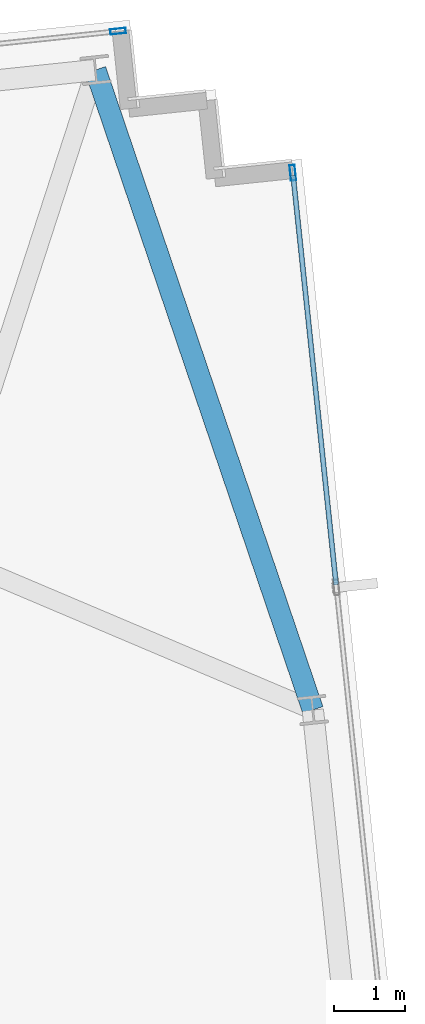
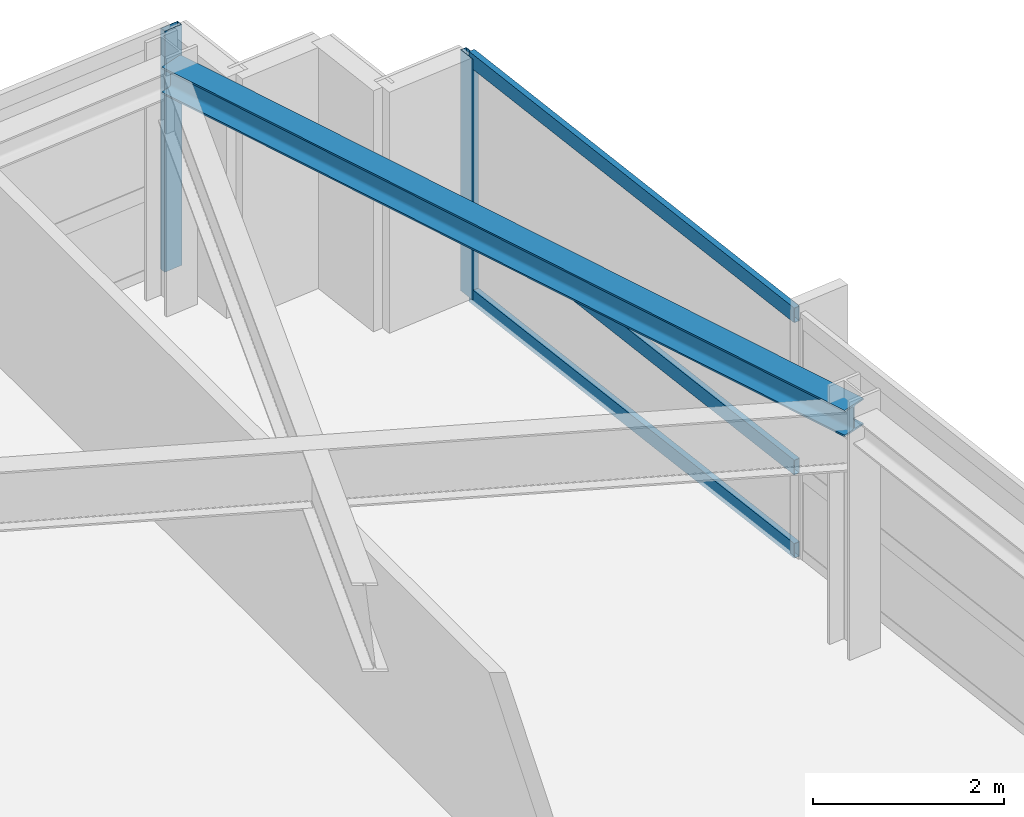
# One storey, part 18 of 26: 5 members, 1 beam, 2 elements without a shape of their own.
"""IFC4 building model written with IfcOpenShell, lengths in metres."""

import ifcopenshell
import ifcopenshell.guid

model = None  # the IFC model being written
_history = None  # IfcOwnerHistory: only IFC2X3 demands one
_inside = {}  # id of a spatial element -> (the spatial element, [elements in it])
_under = {}  # id of a project, library or spatial element -> (it, [spatial elements below it])
_declared = {}  # id of a project -> (the project, [libraries it declares])
_typed = {}  # id of a type object -> (the type object, [elements of that type])
_made_of = {}  # id of a material, layer set ... -> (it, [elements and type objects made of it])


def new_model(schema):
    """Start an empty IFC model of exactly this schema.

    Asked for "IFC4X3", IfcOpenShell would pick the latest addendum, in which some entities
    have other attributes; the version numbers below select the first issue.
    IFC2X3 requires an IfcOwnerHistory on every rooted entity: one is made here for all.
    """
    global model, _history
    if schema == "IFC4X3":
        model = ifcopenshell.file(schema_version=(4, 3, 0, 0))
    else:
        model = ifcopenshell.file(schema=schema)
    _inside.clear()
    _under.clear()
    _declared.clear()
    _typed.clear()
    _made_of.clear()
    _history = None
    if model.schema == "IFC2X3":
        org = make("IfcOrganization", Name="unknown")
        user = make(
            "IfcPersonAndOrganization",
            ThePerson=make("IfcPerson", FamilyName="unknown"),
            TheOrganization=org,
        )
        app = make(
            "IfcApplication",
            ApplicationDeveloper=org,
            Version="unknown",
            ApplicationFullName="unknown",
            ApplicationIdentifier="unknown",
        )
        _history = make(
            "IfcOwnerHistory",
            OwningUser=user,
            OwningApplication=app,
            ChangeAction="ADDED",
            CreationDate=0,
        )
    return model


def make(cls, **values):
    """One entity of the class cls with the attributes given. An attribute that is None is left unset."""
    return model.create_entity(
        cls, **{name: value for name, value in values.items() if value is not None}
    )


def rooted(cls, **values):
    """An entity with a GlobalId (a new one), such as an element, a storey or a relation."""
    return make(cls, GlobalId=ifcopenshell.guid.new(), OwnerHistory=_history, **values)


def si_unit(unit_type, name, prefix=None):
    """IfcSIUnit, for example si_unit("LENGTHUNIT", "METRE", prefix="MILLI")."""
    return make("IfcSIUnit", UnitType=unit_type, Prefix=prefix, Name=name)


def assignment(units):
    """IfcUnitAssignment: the units of a project."""
    return None if units is None else make("IfcUnitAssignment", Units=units)


def point(xyz):
    """IfcCartesianPoint."""
    return None if xyz is None else make("IfcCartesianPoint", Coordinates=xyz)


def direction(xyz):
    """IfcDirection."""
    return None if xyz is None else make("IfcDirection", DirectionRatios=xyz)


def frame(location, z_axis=None, x_axis=None):
    """IfcAxis2Placement3D, a coordinate frame: its origin and axes. An axis left out is left unset."""
    return make(
        "IfcAxis2Placement3D",
        Location=point(location),
        Axis=direction(z_axis),
        RefDirection=direction(x_axis),
    )


def frame_2d(location, x_axis=None):
    """IfcAxis2Placement2D, a coordinate frame in the plane: its origin and x axis."""
    return make(
        "IfcAxis2Placement2D", Location=point(location), RefDirection=direction(x_axis)
    )


def origin():
    """The frame at (0, 0, 0) with its axes left unset."""
    return frame((0.0, 0.0, 0.0))


def origin_2d():
    """The frame at (0, 0) in the plane with its x axis left unset."""
    return frame_2d((0.0, 0.0))


def place(relative_to, where):
    """IfcLocalPlacement: puts the frame where relative to a parent placement (None: the world)."""
    return make(
        "IfcLocalPlacement", PlacementRelTo=relative_to, RelativePlacement=where
    )


def context(
    kind, dimensions, precision=None, world=None, true_north=None, identifier=None
):
    """IfcGeometricRepresentationContext, for example the 3D "Model" context."""
    return make(
        "IfcGeometricRepresentationContext",
        ContextIdentifier=identifier,
        ContextType=kind,
        CoordinateSpaceDimension=dimensions,
        Precision=precision,
        WorldCoordinateSystem=world,
        TrueNorth=true_north,
    )


def subcontext(parent, identifier, kind, view, scale=None):
    """IfcGeometricRepresentationSubContext, for example "Body" below "Model"."""
    return make(
        "IfcGeometricRepresentationSubContext",
        ContextIdentifier=identifier,
        ContextType=kind,
        ParentContext=parent,
        TargetScale=scale,
        TargetView=view,
    )


def project(units=None, contexts=None):
    """IfcProject with its units and contexts."""
    return rooted(
        "IfcProject",
        Name="project",
        RepresentationContexts=contexts,
        UnitsInContext=assignment(units),
    )


def spatial(cls, under=None, at=None, **own):
    """A site, building, storey or space (cls), placed at a placement, below another one or the project."""
    s = rooted(cls, ObjectPlacement=at, **own)
    if under is not None:
        _under.setdefault(under.id(), (under, []))[1].append(s)
    return s


def profile(cls, at=None, kind="AREA", **sizes):
    """A parametric profile (cls). Its sizes go by their IFC names, for example OverallWidth=200.0."""
    return make(cls, ProfileType=kind, Position=at, **sizes)


def hollow_rectangle(**sizes):
    """IfcRectangleHollowProfileDef."""
    return profile("IfcRectangleHollowProfileDef", **sizes)


def i_section(**sizes):
    """IfcIShapeProfileDef."""
    return profile("IfcIShapeProfileDef", **sizes)


def extrude(swept, where, along, depth):
    """IfcExtrudedAreaSolid: the profile swept, set in the frame where, extruded along a direction by depth."""
    return make(
        "IfcExtrudedAreaSolid",
        SweptArea=swept,
        Position=where,
        ExtrudedDirection=direction(along),
        Depth=depth,
    )


def shape(context_of_items, identifier, shape_type, items):
    """IfcShapeRepresentation: the items that make up one representation, for example the "Body"."""
    return make(
        "IfcShapeRepresentation",
        ContextOfItems=context_of_items,
        RepresentationIdentifier=identifier,
        RepresentationType=shape_type,
        Items=items,
    )


def material(Name=None, Category=None):
    """IfcMaterial."""
    return make("IfcMaterial", Name=Name, Category=Category)


def material_profile(
    of_material, cross_section, Name=None, Category=None, Priority=None
):
    """IfcMaterialProfile: a cross section and its material."""
    return make(
        "IfcMaterialProfile",
        Name=Name,
        Material=of_material,
        Profile=cross_section,
        Priority=Priority,
        Category=Category,
    )


def profile_set(profiles, Name=None, composite=None):
    """IfcMaterialProfileSet."""
    return make(
        "IfcMaterialProfileSet",
        Name=Name,
        MaterialProfiles=profiles,
        CompositeProfile=composite,
    )


def made_of(thing, what):
    """Note that an element or type object is made of a material, layer set ...; save() writes the relation."""
    if what is not None:
        _made_of.setdefault(what.id(), (what, []))[1].append(thing)
    return thing


def type_object(cls, material=None, **own):
    """A type object (cls), such as IfcWallType, which elements share."""
    return made_of(rooted(cls, **own), material)


def element(
    cls,
    number,
    at=None,
    inside=None,
    cuts=None,
    type_object=None,
    material=None,
    context=None,
    identifier="Body",
    shape_type=None,
    held_by="IfcProductDefinitionShape",
    body=None,
    shapes=None,
    **own,
):
    """One element of the class cls, such as IfcWall. Its Tag is "e" and its number.

    at: its placement. inside: the storey or other place that contains it. cuts: it is an
    opening in that element (IfcRelVoidsElement). A single representation is given by context,
    identifier, shape_type and body (its items); several are given by shapes. held_by: the class
    of the entity that holds the representations. save() writes the other relations.
    """
    e = rooted(cls, Tag="e%d" % number, ObjectPlacement=at, **own)
    if body is not None:
        shapes = [shape(context, identifier, shape_type, body)]
    if shapes is not None:
        e.Representation = make(held_by, Representations=shapes)
    if inside is not None:
        _inside.setdefault(inside.id(), (inside, []))[1].append(e)
    if cuts is not None:
        rooted(
            "IfcRelVoidsElement", RelatingBuildingElement=cuts, RelatedOpeningElement=e
        )
    if type_object is not None:
        _typed.setdefault(type_object.id(), (type_object, []))[1].append(e)
    return made_of(e, material)


def aggregate(whole, parts):
    """IfcRelAggregates: a whole, such as a stair, and the parts it consists of."""
    return rooted("IfcRelAggregates", RelatingObject=whole, RelatedObjects=parts)


def save(model, path):
    """Write the relations noted so far, then the file.

    IfcRelAggregates (storeys below a building ...), IfcRelContainedInSpatialStructure (elements
    in a storey), IfcRelDefinesByType, IfcRelAssociatesMaterial and IfcRelDeclares: one each for
    every whole, place, type object, material and project.
    """
    for whole, parts in _under.values():
        aggregate(whole, parts)
    for where, things in _inside.values():
        rooted(
            "IfcRelContainedInSpatialStructure",
            RelatedElements=things,
            RelatingStructure=where,
        )
    for kind, things in _typed.values():
        rooted("IfcRelDefinesByType", RelatedObjects=things, RelatingType=kind)
    for what, things in _made_of.values():
        rooted("IfcRelAssociatesMaterial", RelatedObjects=things, RelatingMaterial=what)
    for by, libraries in _declared.values():
        rooted("IfcRelDeclares", RelatingContext=by, RelatedDefinitions=libraries)
    model.write(path)


model = new_model("IFC4")

# Units and contexts
model_context = context("Model", 3, precision=1e-05, world=origin(), true_north=direction((0.0, 1.0)))
body_context = subcontext(model_context, "Body", "Model", "MODEL_VIEW")
ifc_project = project(units=[si_unit("LENGTHUNIT", "METRE"), si_unit("AREAUNIT", "SQUARE_METRE"), si_unit("VOLUMEUNIT", "CUBIC_METRE"), si_unit("PLANEANGLEUNIT", "RADIAN"), si_unit("MASSUNIT", "GRAM", prefix="KILO")], contexts=[model_context])

# Site, building, storey
site_placement = place(None, origin())
site = spatial("IfcSite", under=ifc_project, at=site_placement, CompositionType="ELEMENT")
building_placement = place(site_placement, origin())
building = spatial("IfcBuilding", under=site, at=building_placement, Name="Yelkora Congress Tower", CompositionType="ELEMENT")
storey_placement = place(building_placement, frame((0.0, 0.0, 204.5)))
storey = spatial("IfcBuildingStorey", under=building, at=storey_placement, Name="L56", CompositionType="ELEMENT", Elevation=204.5)

# Beam
ifc_material_1 = material(Name="Steel S355J2", Category="steel")
ifc_material_profile_1 = material_profile(ifc_material_1, i_section(OverallWidth=0.300048828125, OverallDepth=0.340087890625, WebThickness=0.011962890625, FlangeThickness=0.021484375, FilletRadius=0.027099609375, at=origin_2d()), Name="HEB 340")
ifc_profile_set_1 = profile_set([ifc_material_profile_1], Name="Steel S355J2")
beam_type = type_object("IfcBeamType", Name="BM-SPAN-HEB340", PredefinedType="SPANDREL", material=ifc_profile_set_1)
beam_placement = place(storey_placement, frame((68.85400390625, 41.431884765625, 2.909912109375), z_axis=(-0.321575477611, 0.946883948644, 0.0), x_axis=(-0.946883948644, -0.321575477611, 0.0)))
element("IfcBeam", 1, at=beam_placement, inside=storey, type_object=beam_type, Name="L56 Perimeter Beam 12", PredefinedType="SPANDREL", context=body_context, shape_type="SweptSolid", body=[
    extrude(i_section(OverallWidth=0.300048828125, OverallDepth=0.340087890625, WebThickness=0.011962890625, FlangeThickness=0.021484375, FilletRadius=0.027099609375, at=origin_2d()), origin(), (0.0, 0.0, 1.0), 9.509765625),
])

# Curtain wall, member
ifc_material_2 = material(Name="Anodised aluminium and insulated glass", Category="aluminium")
curtain_wall_type = type_object("IfcCurtainWallType", Name="CW-SYS-SKY", PredefinedType="NOTDEFINED", material=ifc_material_2)
curtain_wall_1_placement = place(storey_placement, origin())
curtain_wall_1 = element("IfcCurtainWall", 2, at=curtain_wall_1_placement, inside=storey, type_object=curtain_wall_type, Name="L56 Unitised Curtain Wall 10 (3)", PredefinedType="NOTDEFINED")
ifc_material_3 = material(Name="Anodised aluminium 6063-T6", Category="aluminium")
ifc_material_profile_2 = material_profile(ifc_material_3, hollow_rectangle(XDim=0.074951171875, YDim=0.219970703125, WallThickness=0.0048828125, at=origin_2d()), Name="ALU 75x220x5")
ifc_profile_set_2 = profile_set([ifc_material_profile_2], Name="Anodised aluminium 6063-T6")
member_type_1 = type_object("IfcMemberType", Name="MEM-ML-SKY", PredefinedType="MULLION", material=ifc_profile_set_2)
member_1_placement = place(storey_placement, frame((66.11328125, 50.982666015625, 0.0), z_axis=(0.0, 0.0, 1.0), x_axis=(-0.104528076052, 0.994521936066, 0.0)))
member_1 = element("IfcMember", 3, at=member_1_placement, type_object=member_type_1, Name="CW-SKY mullion 8", PredefinedType="MULLION", context=body_context, shape_type="SweptSolid", body=[
    extrude(hollow_rectangle(XDim=0.074951171875, YDim=0.219970703125, WallThickness=0.0048828125, at=origin_2d()), origin(), (0.0, 0.0, 1.0), 3.080078125),
])
aggregate(curtain_wall_1, [member_1])

# Curtain wall, members
curtain_wall_2_placement = place(storey_placement, origin())
curtain_wall_2 = element("IfcCurtainWall", 4, at=curtain_wall_2_placement, inside=storey, type_object=curtain_wall_type, Name="L56 Unitised Curtain Wall 15", PredefinedType="NOTDEFINED")
member_2_placement = place(storey_placement, frame((68.572265625, 48.9912109375, 0.0), z_axis=(0.0, 0.0, 1.0), x_axis=(0.994522182968, 0.104525726898, 0.0)))
member_2 = element("IfcMember", 5, at=member_2_placement, type_object=member_type_1, Name="CW-SKY mullion 1", PredefinedType="MULLION", context=body_context, shape_type="SweptSolid", body=[
    extrude(hollow_rectangle(XDim=0.074951171875, YDim=0.219970703125, WallThickness=0.0048828125, at=origin_2d()), origin(), (0.0, 0.0, 1.0), 3.080078125),
])
ifc_material_profile_3 = material_profile(ifc_material_3, hollow_rectangle(XDim=0.070068359375, YDim=0.18994140625, WallThickness=0.00390625, at=origin_2d()), Name="ALU 70x190x4")
ifc_profile_set_3 = profile_set([ifc_material_profile_3], Name="Anodised aluminium 6063-T6")
member_type_2 = type_object("IfcMemberType", Name="MEM-TR-SKY", PredefinedType="USERDEFINED", material=ifc_profile_set_3)
member_3_placement = place(storey_placement, frame((68.576171875, 48.9541015625, 0.034912109375), z_axis=(0.104544343878, -0.994520226121, 0.0), x_axis=(0.994520226121, 0.104544343878, 0.0)))
member_3 = element("IfcMember", 6, at=member_3_placement, type_object=member_type_2, Name="CW-SKY transom 1.1", ObjectType="TRANSOM", PredefinedType="USERDEFINED", context=body_context, shape_type="SweptSolid", body=[
    extrude(hollow_rectangle(XDim=0.070068359375, YDim=0.18994140625, WallThickness=0.00390625, at=origin_2d()), origin(), (0.0, 0.0, 1.0), 5.79150390625),
])
member_4_placement = place(storey_placement, frame((68.576171875, 48.9541015625, 1.10009765625), z_axis=(0.104544343878, -0.994520226121, 0.0), x_axis=(0.994520226121, 0.104544343878, 0.0)))
member_4 = element("IfcMember", 7, at=member_4_placement, type_object=member_type_2, Name="CW-SKY transom 1.2", ObjectType="TRANSOM", PredefinedType="USERDEFINED", context=body_context, shape_type="SweptSolid", body=[
    extrude(hollow_rectangle(XDim=0.070068359375, YDim=0.18994140625, WallThickness=0.00390625, at=origin_2d()), origin(), (0.0, 0.0, 1.0), 5.79150390625),
])
member_5_placement = place(storey_placement, frame((68.576171875, 48.9541015625, 3.044921875), z_axis=(0.104544343878, -0.994520226121, 0.0), x_axis=(0.994520226121, 0.104544343878, 0.0)))
member_5 = element("IfcMember", 8, at=member_5_placement, type_object=member_type_2, Name="CW-SKY transom 1.3", ObjectType="TRANSOM", PredefinedType="USERDEFINED", context=body_context, shape_type="SweptSolid", body=[
    extrude(hollow_rectangle(XDim=0.070068359375, YDim=0.18994140625, WallThickness=0.00390625, at=origin_2d()), origin(), (0.0, 0.0, 1.0), 5.79150390625),
])
aggregate(curtain_wall_2, [member_2, member_3, member_4, member_5])

save(model, "model.ifc")
